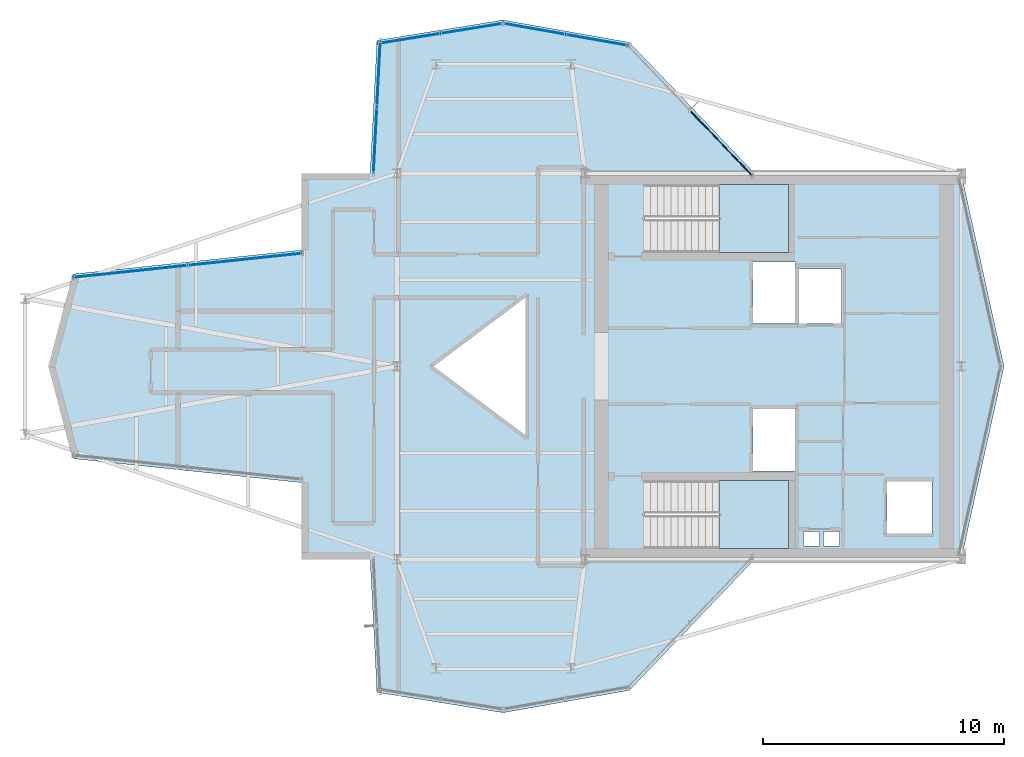
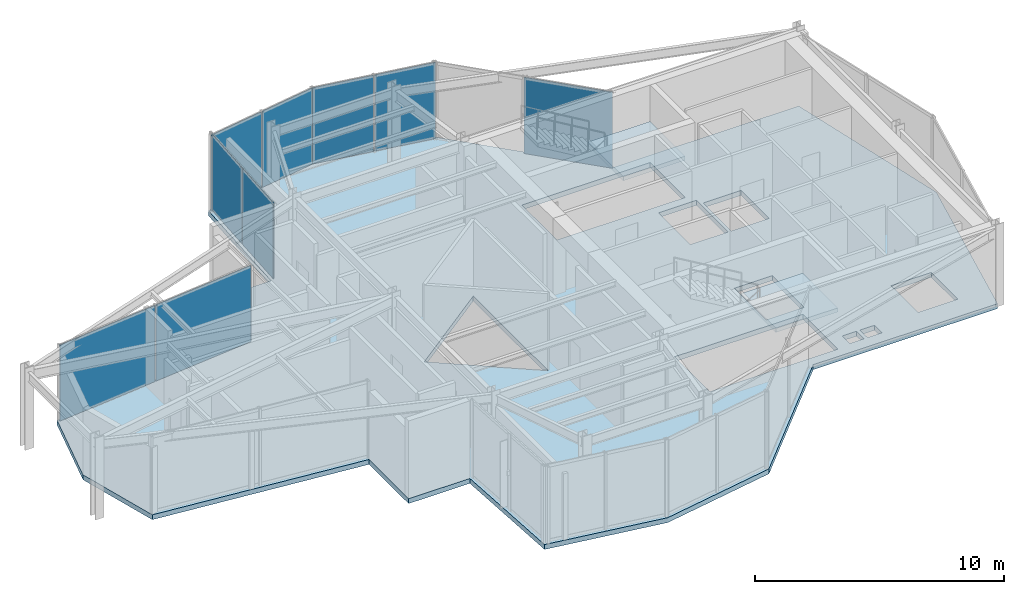
# One storey, part 9 of 13: 9 plates, 3 slabs, 7 elements without a shape of their own.
"""IFC4 building model written with IfcOpenShell, lengths in metres."""

import ifcopenshell
import ifcopenshell.guid

model = None  # the IFC model being written
_history = None  # IfcOwnerHistory: only IFC2X3 demands one
_inside = {}  # id of a spatial element -> (the spatial element, [elements in it])
_under = {}  # id of a project, library or spatial element -> (it, [spatial elements below it])
_declared = {}  # id of a project -> (the project, [libraries it declares])
_typed = {}  # id of a type object -> (the type object, [elements of that type])
_made_of = {}  # id of a material, layer set ... -> (it, [elements and type objects made of it])


def new_model(schema):
    """Start an empty IFC model of exactly this schema.

    Asked for "IFC4X3", IfcOpenShell would pick the latest addendum, in which some entities
    have other attributes; the version numbers below select the first issue.
    IFC2X3 requires an IfcOwnerHistory on every rooted entity: one is made here for all.
    """
    global model, _history
    if schema == "IFC4X3":
        model = ifcopenshell.file(schema_version=(4, 3, 0, 0))
    else:
        model = ifcopenshell.file(schema=schema)
    _inside.clear()
    _under.clear()
    _declared.clear()
    _typed.clear()
    _made_of.clear()
    _history = None
    if model.schema == "IFC2X3":
        org = make("IfcOrganization", Name="unknown")
        user = make(
            "IfcPersonAndOrganization",
            ThePerson=make("IfcPerson", FamilyName="unknown"),
            TheOrganization=org,
        )
        app = make(
            "IfcApplication",
            ApplicationDeveloper=org,
            Version="unknown",
            ApplicationFullName="unknown",
            ApplicationIdentifier="unknown",
        )
        _history = make(
            "IfcOwnerHistory",
            OwningUser=user,
            OwningApplication=app,
            ChangeAction="ADDED",
            CreationDate=0,
        )
    return model


def make(cls, **values):
    """One entity of the class cls with the attributes given. An attribute that is None is left unset."""
    return model.create_entity(
        cls, **{name: value for name, value in values.items() if value is not None}
    )


def rooted(cls, **values):
    """An entity with a GlobalId (a new one), such as an element, a storey or a relation."""
    return make(cls, GlobalId=ifcopenshell.guid.new(), OwnerHistory=_history, **values)


def si_unit(unit_type, name, prefix=None):
    """IfcSIUnit, for example si_unit("LENGTHUNIT", "METRE", prefix="MILLI")."""
    return make("IfcSIUnit", UnitType=unit_type, Prefix=prefix, Name=name)


def assignment(units):
    """IfcUnitAssignment: the units of a project."""
    return None if units is None else make("IfcUnitAssignment", Units=units)


def point(xyz):
    """IfcCartesianPoint."""
    return None if xyz is None else make("IfcCartesianPoint", Coordinates=xyz)


def direction(xyz):
    """IfcDirection."""
    return None if xyz is None else make("IfcDirection", DirectionRatios=xyz)


def frame(location, z_axis=None, x_axis=None):
    """IfcAxis2Placement3D, a coordinate frame: its origin and axes. An axis left out is left unset."""
    return make(
        "IfcAxis2Placement3D",
        Location=point(location),
        Axis=direction(z_axis),
        RefDirection=direction(x_axis),
    )


def frame_2d(location, x_axis=None):
    """IfcAxis2Placement2D, a coordinate frame in the plane: its origin and x axis."""
    return make(
        "IfcAxis2Placement2D", Location=point(location), RefDirection=direction(x_axis)
    )


def origin():
    """The frame at (0, 0, 0) with its axes left unset."""
    return frame((0.0, 0.0, 0.0))


def origin_2d():
    """The frame at (0, 0) in the plane with its x axis left unset."""
    return frame_2d((0.0, 0.0))


def place(relative_to, where):
    """IfcLocalPlacement: puts the frame where relative to a parent placement (None: the world)."""
    return make(
        "IfcLocalPlacement", PlacementRelTo=relative_to, RelativePlacement=where
    )


def context(
    kind, dimensions, precision=None, world=None, true_north=None, identifier=None
):
    """IfcGeometricRepresentationContext, for example the 3D "Model" context."""
    return make(
        "IfcGeometricRepresentationContext",
        ContextIdentifier=identifier,
        ContextType=kind,
        CoordinateSpaceDimension=dimensions,
        Precision=precision,
        WorldCoordinateSystem=world,
        TrueNorth=true_north,
    )


def subcontext(parent, identifier, kind, view, scale=None):
    """IfcGeometricRepresentationSubContext, for example "Body" below "Model"."""
    return make(
        "IfcGeometricRepresentationSubContext",
        ContextIdentifier=identifier,
        ContextType=kind,
        ParentContext=parent,
        TargetScale=scale,
        TargetView=view,
    )


def project(units=None, contexts=None):
    """IfcProject with its units and contexts."""
    return rooted(
        "IfcProject",
        Name="project",
        RepresentationContexts=contexts,
        UnitsInContext=assignment(units),
    )


def spatial(cls, under=None, at=None, **own):
    """A site, building, storey or space (cls), placed at a placement, below another one or the project."""
    s = rooted(cls, ObjectPlacement=at, **own)
    if under is not None:
        _under.setdefault(under.id(), (under, []))[1].append(s)
    return s


def polyline(points):
    """IfcPolyline through the points."""
    return make("IfcPolyline", Points=[point(p) for p in points])


def profile(cls, at=None, kind="AREA", **sizes):
    """A parametric profile (cls). Its sizes go by their IFC names, for example OverallWidth=200.0."""
    return make(cls, ProfileType=kind, Position=at, **sizes)


def rectangle(**sizes):
    """IfcRectangleProfileDef."""
    return profile("IfcRectangleProfileDef", **sizes)


def outline(outer, holes=None, kind="AREA"):
    """IfcArbitraryClosedProfileDef: a profile drawn as a closed curve; with holes, ...WithVoids."""
    if holes is None:
        return make("IfcArbitraryClosedProfileDef", ProfileType=kind, OuterCurve=outer)
    return make(
        "IfcArbitraryProfileDefWithVoids",
        ProfileType=kind,
        OuterCurve=outer,
        InnerCurves=holes,
    )


def extrude(swept, where, along, depth):
    """IfcExtrudedAreaSolid: the profile swept, set in the frame where, extruded along a direction by depth."""
    return make(
        "IfcExtrudedAreaSolid",
        SweptArea=swept,
        Position=where,
        ExtrudedDirection=direction(along),
        Depth=depth,
    )


def shape(context_of_items, identifier, shape_type, items):
    """IfcShapeRepresentation: the items that make up one representation, for example the "Body"."""
    return make(
        "IfcShapeRepresentation",
        ContextOfItems=context_of_items,
        RepresentationIdentifier=identifier,
        RepresentationType=shape_type,
        Items=items,
    )


def material(Name=None, Category=None):
    """IfcMaterial."""
    return make("IfcMaterial", Name=Name, Category=Category)


def layer(
    of_material, thickness, ventilated=None, Name=None, Category=None, Priority=None
):
    """IfcMaterialLayer: one layer of a wall or slab, of a material (None: an air gap)."""
    return make(
        "IfcMaterialLayer",
        Material=of_material,
        LayerThickness=thickness,
        IsVentilated=ventilated,
        Name=Name,
        Category=Category,
        Priority=Priority,
    )


def layer_set(layers, Name=None):
    """IfcMaterialLayerSet."""
    return make("IfcMaterialLayerSet", MaterialLayers=layers, LayerSetName=Name)


def made_of(thing, what):
    """Note that an element or type object is made of a material, layer set ...; save() writes the relation."""
    if what is not None:
        _made_of.setdefault(what.id(), (what, []))[1].append(thing)
    return thing


def type_object(cls, material=None, **own):
    """A type object (cls), such as IfcWallType, which elements share."""
    return made_of(rooted(cls, **own), material)


def element(
    cls,
    number,
    at=None,
    inside=None,
    cuts=None,
    type_object=None,
    material=None,
    context=None,
    identifier="Body",
    shape_type=None,
    held_by="IfcProductDefinitionShape",
    body=None,
    shapes=None,
    **own,
):
    """One element of the class cls, such as IfcWall. Its Tag is "e" and its number.

    at: its placement. inside: the storey or other place that contains it. cuts: it is an
    opening in that element (IfcRelVoidsElement). A single representation is given by context,
    identifier, shape_type and body (its items); several are given by shapes. held_by: the class
    of the entity that holds the representations. save() writes the other relations.
    """
    e = rooted(cls, Tag="e%d" % number, ObjectPlacement=at, **own)
    if body is not None:
        shapes = [shape(context, identifier, shape_type, body)]
    if shapes is not None:
        e.Representation = make(held_by, Representations=shapes)
    if inside is not None:
        _inside.setdefault(inside.id(), (inside, []))[1].append(e)
    if cuts is not None:
        rooted(
            "IfcRelVoidsElement", RelatingBuildingElement=cuts, RelatedOpeningElement=e
        )
    if type_object is not None:
        _typed.setdefault(type_object.id(), (type_object, []))[1].append(e)
    return made_of(e, material)


def aggregate(whole, parts):
    """IfcRelAggregates: a whole, such as a stair, and the parts it consists of."""
    return rooted("IfcRelAggregates", RelatingObject=whole, RelatedObjects=parts)


def save(model, path):
    """Write the relations noted so far, then the file.

    IfcRelAggregates (storeys below a building ...), IfcRelContainedInSpatialStructure (elements
    in a storey), IfcRelDefinesByType, IfcRelAssociatesMaterial and IfcRelDeclares: one each for
    every whole, place, type object, material and project.
    """
    for whole, parts in _under.values():
        aggregate(whole, parts)
    for where, things in _inside.values():
        rooted(
            "IfcRelContainedInSpatialStructure",
            RelatedElements=things,
            RelatingStructure=where,
        )
    for kind, things in _typed.values():
        rooted("IfcRelDefinesByType", RelatedObjects=things, RelatingType=kind)
    for what, things in _made_of.values():
        rooted("IfcRelAssociatesMaterial", RelatedObjects=things, RelatingMaterial=what)
    for by, libraries in _declared.values():
        rooted("IfcRelDeclares", RelatingContext=by, RelatedDefinitions=libraries)
    model.write(path)


model = new_model("IFC4")

# Units and contexts
model_context = context("Model", 3, precision=1e-05, world=origin(), true_north=direction((0.0, 1.0)))
body_context = subcontext(model_context, "Body", "Model", "MODEL_VIEW")
ifc_project = project(units=[si_unit("LENGTHUNIT", "METRE"), si_unit("AREAUNIT", "SQUARE_METRE"), si_unit("VOLUMEUNIT", "CUBIC_METRE"), si_unit("PLANEANGLEUNIT", "RADIAN"), si_unit("MASSUNIT", "GRAM", prefix="KILO")], contexts=[model_context])

# Site, building, storey
site_placement = place(None, origin())
site = spatial("IfcSite", under=ifc_project, at=site_placement, CompositionType="ELEMENT")
building_placement = place(site_placement, origin())
building = spatial("IfcBuilding", under=site, at=building_placement, Name="Veymaron Broadcast Tower", CompositionType="ELEMENT")
storey_placement = place(building_placement, frame((0.0, 0.0, 291.14990234375)))
storey = spatial("IfcBuildingStorey", under=building, at=storey_placement, Name="L68", CompositionType="ELEMENT", Elevation=291.14990234375)

# Curtain wall, plate
ifc_material_1 = material(Name="Anodised aluminium AA 6063-T6 and laminated low-E dark glass", Category="aluminium")
ifc_layer_1 = layer(ifc_material_1, 0.179931640625)
ifc_layer_set_1 = layer_set([ifc_layer_1], Name="Anodised aluminium AA 6063-T6 and laminated low-E dark glass")
curtain_wall_type = type_object("IfcCurtainWallType", Name="CW-SYS-06", PredefinedType="NOTDEFINED", material=ifc_layer_set_1)
curtain_wall_1_placement = place(storey_placement, origin())
curtain_wall_1 = element("IfcCurtainWall", 1, at=curtain_wall_1_placement, inside=storey, type_object=curtain_wall_type, Name="L68 dark-glass curtain wall CW-L68-E5-1", PredefinedType="NOTDEFINED")
ifc_material_2 = material(Name="Insulated dark-anodised aluminium spandrel panel 40 mm", Category="aluminium")
ifc_layer_2 = layer(ifc_material_2, 0.0400390625)
ifc_layer_set_2 = layer_set([ifc_layer_2], Name="Insulated dark-anodised aluminium spandrel panel 40 mm")
plate_type = type_object("IfcPlateType", Name="CW-PNL-03", PredefinedType="CURTAIN_PANEL", material=ifc_layer_set_2)
plate_1_placement = place(storey_placement, frame((44.636474609375, 33.261474609375, 0.0400390625), z_axis=(0.0, 0.0, 1.0), x_axis=(-0.690869792815, 0.722979203972, 0.0)))
plate_1 = element("IfcPlate", 2, at=plate_1_placement, type_object=plate_type, Name="CW-L68-E5-1 unitised curtain panel 0", PredefinedType="CURTAIN_PANEL", context=body_context, shape_type="SweptSolid", body=[
    extrude(rectangle(XDim=3.697265625, YDim=0.0400390625, at=origin_2d()), origin(), (0.0, 0.0, 1.0), 3.72998046875),
])
aggregate(curtain_wall_1, [plate_1])

# Curtain wall, plates
curtain_wall_2_placement = place(storey_placement, origin())
curtain_wall_2 = element("IfcCurtainWall", 3, at=curtain_wall_2_placement, inside=storey, type_object=curtain_wall_type, Name="L68 dark-glass curtain wall CW-L68-E6-1", PredefinedType="NOTDEFINED")
plate_2_placement = place(storey_placement, frame((39.5107421875, 37.527099609375, 0.0400390625), z_axis=(0.0, 0.0, 1.0), x_axis=(-0.984634513959, 0.174627815429, 0.0)))
plate_2 = element("IfcPlate", 4, at=plate_2_placement, type_object=plate_type, Name="CW-L68-E6-1 unitised curtain panel 0", PredefinedType="CURTAIN_PANEL", context=body_context, shape_type="SweptSolid", body=[
    extrude(rectangle(XDim=2.59814453125, YDim=0.0400390625, at=origin_2d()), origin(), (0.0, 0.0, 1.0), 3.72998046875),
])
plate_3_placement = place(storey_placement, frame((36.8935546875, 37.9912109375, 0.0400390625), z_axis=(0.0, 0.0, 1.0), x_axis=(-0.984634513959, 0.174627815429, 0.0)))
plate_3 = element("IfcPlate", 5, at=plate_3_placement, type_object=plate_type, Name="CW-L68-E6-1 unitised curtain panel 1", PredefinedType="CURTAIN_PANEL", context=body_context, shape_type="SweptSolid", body=[
    extrude(rectangle(XDim=2.59814453125, YDim=0.0400390625, at=origin_2d()), origin(), (0.0, 0.0, 1.0), 3.72998046875),
])
aggregate(curtain_wall_2, [plate_2, plate_3])

curtain_wall_3_placement = place(storey_placement, origin())
curtain_wall_3 = element("IfcCurtainWall", 6, at=curtain_wall_3_placement, inside=storey, type_object=curtain_wall_type, Name="L68 dark-glass curtain wall CW-L68-E7-1", PredefinedType="NOTDEFINED")
plate_4_placement = place(storey_placement, frame((34.32275390625, 38.011962890625, 0.0400390625), z_axis=(0.0, 0.0, 1.0), x_axis=(-0.987250420904, -0.15917476692, 0.0)))
plate_4 = element("IfcPlate", 7, at=plate_4_placement, type_object=plate_type, Name="CW-L68-E7-1 unitised curtain panel 0", PredefinedType="CURTAIN_PANEL", context=body_context, shape_type="SweptSolid", body=[
    extrude(rectangle(XDim=2.59130859375, YDim=0.0400390625, at=origin_2d()), origin(), (0.0, 0.0, 1.0), 3.72998046875),
])
plate_5_placement = place(storey_placement, frame((31.70556640625, 37.590087890625, 0.0400390625), z_axis=(0.0, 0.0, 1.0), x_axis=(-0.987250420904, -0.15917476692, 0.0)))
plate_5 = element("IfcPlate", 8, at=plate_5_placement, type_object=plate_type, Name="CW-L68-E7-1 unitised curtain panel 1", PredefinedType="CURTAIN_PANEL", context=body_context, shape_type="SweptSolid", body=[
    extrude(rectangle(XDim=2.59130859375, YDim=0.0400390625, at=origin_2d()), origin(), (0.0, 0.0, 1.0), 3.72998046875),
])
aggregate(curtain_wall_3, [plate_4, plate_5])

curtain_wall_4_placement = place(storey_placement, origin())
curtain_wall_4 = element("IfcCurtainWall", 9, at=curtain_wall_4_placement, inside=storey, type_object=curtain_wall_type, Name="L68 dark-glass curtain wall CW-L68-E8-1", PredefinedType="NOTDEFINED")
plate_6_placement = place(storey_placement, frame((30.443359375, 36.130615234375, 0.0400390625), z_axis=(0.0, 0.0, 1.0), x_axis=(-0.051377316741, -0.998679313556, 0.0)))
plate_6 = element("IfcPlate", 10, at=plate_6_placement, type_object=plate_type, Name="CW-L68-E8-1 unitised curtain panel 0", PredefinedType="CURTAIN_PANEL", context=body_context, shape_type="SweptSolid", body=[
    extrude(rectangle(XDim=2.7021484375, YDim=0.0400390625, at=origin_2d()), origin(), (0.0, 0.0, 1.0), 3.72998046875),
])
plate_7_placement = place(storey_placement, frame((30.301513671875, 33.3720703125, 0.0400390625), z_axis=(0.0, 0.0, 1.0), x_axis=(-0.051377316741, -0.998679313556, 0.0)))
plate_7 = element("IfcPlate", 11, at=plate_7_placement, type_object=plate_type, Name="CW-L68-E8-1 unitised curtain panel 1", PredefinedType="CURTAIN_PANEL", context=body_context, shape_type="SweptSolid", body=[
    extrude(rectangle(XDim=2.7021484375, YDim=0.0400390625, at=origin_2d()), origin(), (0.0, 0.0, 1.0), 3.72998046875),
])
aggregate(curtain_wall_4, [plate_6, plate_7])

curtain_wall_5_placement = place(storey_placement, origin())
curtain_wall_5 = element("IfcCurtainWall", 12, at=curtain_wall_5_placement, inside=storey, type_object=curtain_wall_type, Name="L68 dark-glass curtain wall CW-L68-E11-1", PredefinedType="NOTDEFINED")
plate_8_placement = place(storey_placement, frame((24.891845703125, 28.4345703125, 0.0400390625), z_axis=(0.0, 0.0, 1.0), x_axis=(-0.994518246031, -0.104563178567, 0.0)))
plate_8 = element("IfcPlate", 13, at=plate_8_placement, type_object=plate_type, Name="CW-L68-E11-1 unitised curtain panel 0", PredefinedType="CURTAIN_PANEL", context=body_context, shape_type="SweptSolid", body=[
    extrude(rectangle(XDim=4.7109375, YDim=0.0400390625, at=origin_2d()), origin(), (0.0, 0.0, 1.0), 3.72998046875),
])
plate_9_placement = place(storey_placement, frame((20.14697265625, 27.935546875, 0.0400390625), z_axis=(0.0, 0.0, 1.0), x_axis=(-0.994518246031, -0.104563178567, 0.0)))
plate_9 = element("IfcPlate", 14, at=plate_9_placement, type_object=plate_type, Name="CW-L68-E11-1 unitised curtain panel 1", PredefinedType="CURTAIN_PANEL", context=body_context, shape_type="SweptSolid", body=[
    extrude(rectangle(XDim=4.7109375, YDim=0.0400390625, at=origin_2d()), origin(), (0.0, 0.0, 1.0), 3.72998046875),
])
aggregate(curtain_wall_5, [plate_8, plate_9])

# Slab
ifc_material_3 = material(Name="Concrete C40/50", Category="concrete")
ifc_layer_3 = layer(ifc_material_3, 0.239990234375)
ifc_layer_set_3 = layer_set([ifc_layer_3], Name="Concrete C40/50")
slab_type_1 = type_object("IfcSlabType", Name="SLAB-FS6", PredefinedType="FLOOR", material=ifc_layer_set_3)
slab_1_placement = place(storey_placement, frame((0.0, 0.0, -0.239990234375)))
element("IfcSlab", 15, at=slab_1_placement, inside=storey, type_object=slab_type_1, Name="L68 structural floor slab", PredefinedType="FLOOR", context=body_context, shape_type="SweptSolid", body=[
    extrude(outline(polyline([(46.035400390625, 16.0), (54.60009765625, 16.0), (56.372314453125, 24.0), (54.60009765625, 32.0), (46.035400390625, 32.0), (40.843994140625, 37.432861328125), (35.609130859375, 38.361083984375), (30.37451171875, 37.51708984375), (30.0908203125, 32.0), (27.24951171875, 32.0), (27.24951171875, 28.822998046875), (17.760009765625, 27.8251953125), (16.747314453125, 24.0), (17.760009765625, 20.1748046875), (27.24951171875, 19.177001953125), (27.24951171875, 16.0), (30.0908203125, 16.0), (30.37451171875, 10.48291015625), (35.609130859375, 9.638916015625), (40.843994140625, 10.567138671875), (46.035400390625, 16.0)]), holes=[polyline([(45.969970703125, 28.330078125), (47.72998046875, 28.330078125), (47.72998046875, 25.77001953125), (45.969970703125, 25.77001953125), (45.969970703125, 28.330078125)]), polyline([(45.969970703125, 22.22998046875), (47.72998046875, 22.22998046875), (47.72998046875, 19.669921875), (45.969970703125, 19.669921875), (45.969970703125, 22.22998046875)]), polyline([(47.8701171875, 28.030029296875), (49.6298828125, 28.030029296875), (49.6298828125, 25.77001953125), (47.8701171875, 25.77001953125), (47.8701171875, 28.030029296875)]), polyline([(51.52001953125, 19.22998046875), (53.3798828125, 19.22998046875), (53.3798828125, 17.070068359375), (51.52001953125, 17.070068359375), (51.52001953125, 19.22998046875)]), polyline([(48.050048828125, 17.159912109375), (48.719970703125, 17.159912109375), (48.719970703125, 16.56005859375), (48.050048828125, 16.56005859375), (48.050048828125, 17.159912109375)]), polyline([(48.8798828125, 17.159912109375), (49.550048828125, 17.159912109375), (49.550048828125, 16.56005859375), (48.8798828125, 16.56005859375), (48.8798828125, 17.159912109375)]), polyline([(36.60009765625, 27.0), (36.60009765625, 21.0), (32.60009765625, 24.0), (36.60009765625, 27.0)]), polyline([(41.489990234375, 31.550048828125), (47.43994140625, 31.550048828125), (47.43994140625, 28.72998046875), (41.489990234375, 28.72998046875), (41.489990234375, 31.550048828125)]), polyline([(41.489990234375, 19.27001953125), (47.43994140625, 19.27001953125), (47.43994140625, 16.449951171875), (41.489990234375, 16.449951171875), (41.489990234375, 19.27001953125)])]), origin(), (0.0, 0.0, 1.0), 0.239990234375),
])

# Stair, slab
ifc_material_4 = material(Name="Concrete C50/60", Category="concrete")
stair_type_1 = type_object("IfcStairType", Name="STAIR-CORE-1", PredefinedType="HALF_TURN_STAIR", material=ifc_material_4)
stair_1_placement = place(storey_placement, origin())
stair_1 = element("IfcStair", 16, at=stair_1_placement, inside=storey, type_object=stair_type_1, Name="L68 North protected dog-leg exit stair ST1", PredefinedType="HALF_TURN_STAIR")
ifc_layer_4 = layer(ifc_material_4, 0.199951171875)
ifc_layer_set_4 = layer_set([ifc_layer_4], Name="Concrete C50/60")
slab_type_2 = type_object("IfcSlabType", Name="SLAB-STAIR-LDG", PredefinedType="LANDING", material=ifc_layer_set_4)
slab_2_placement = place(storey_placement, frame((0.0, 0.0, 1.8251953125)))
slab_2 = element("IfcSlab", 17, at=slab_2_placement, type_object=slab_type_2, Name="ST1 landing 1", PredefinedType="LANDING", context=body_context, shape_type="SweptSolid", body=[
    extrude(outline(polyline([(44.56494140625, 28.72998046875), (47.43994140625, 28.72998046875), (47.43994140625, 31.550048828125), (44.56494140625, 31.550048828125), (44.56494140625, 28.72998046875)])), origin(), (0.0, 0.0, 1.0), 0.199951171875),
])
aggregate(stair_1, [slab_2])

stair_type_2 = type_object("IfcStairType", Name="STAIR-CORE-2", PredefinedType="HALF_TURN_STAIR", material=ifc_material_4)
stair_2_placement = place(storey_placement, origin())
stair_2 = element("IfcStair", 18, at=stair_2_placement, inside=storey, type_object=stair_type_2, Name="L68 South protected dog-leg exit stair ST2", PredefinedType="HALF_TURN_STAIR")
slab_3_placement = place(storey_placement, frame((0.0, 0.0, 1.8251953125)))
slab_3 = element("IfcSlab", 19, at=slab_3_placement, type_object=slab_type_2, Name="ST2 landing 1", PredefinedType="LANDING", context=body_context, shape_type="SweptSolid", body=[
    extrude(outline(polyline([(44.56494140625, 16.449951171875), (47.43994140625, 16.449951171875), (47.43994140625, 19.27001953125), (44.56494140625, 19.27001953125), (44.56494140625, 16.449951171875)])), origin(), (0.0, 0.0, 1.0), 0.199951171875),
])
aggregate(stair_2, [slab_3])

save(model, "model.ifc")
